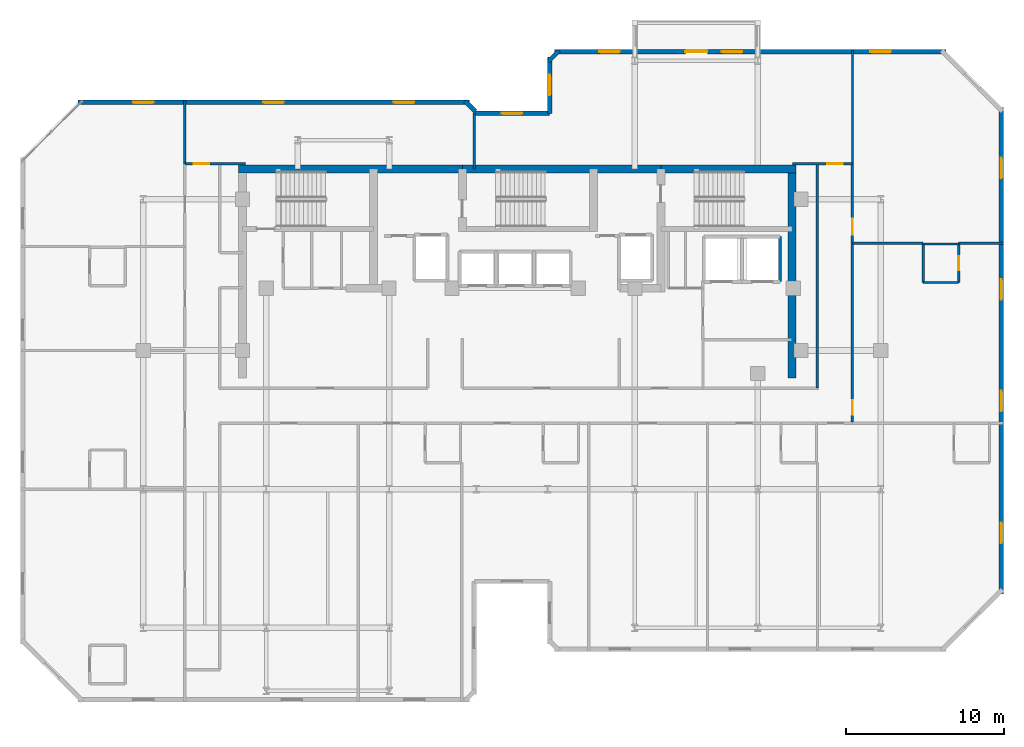
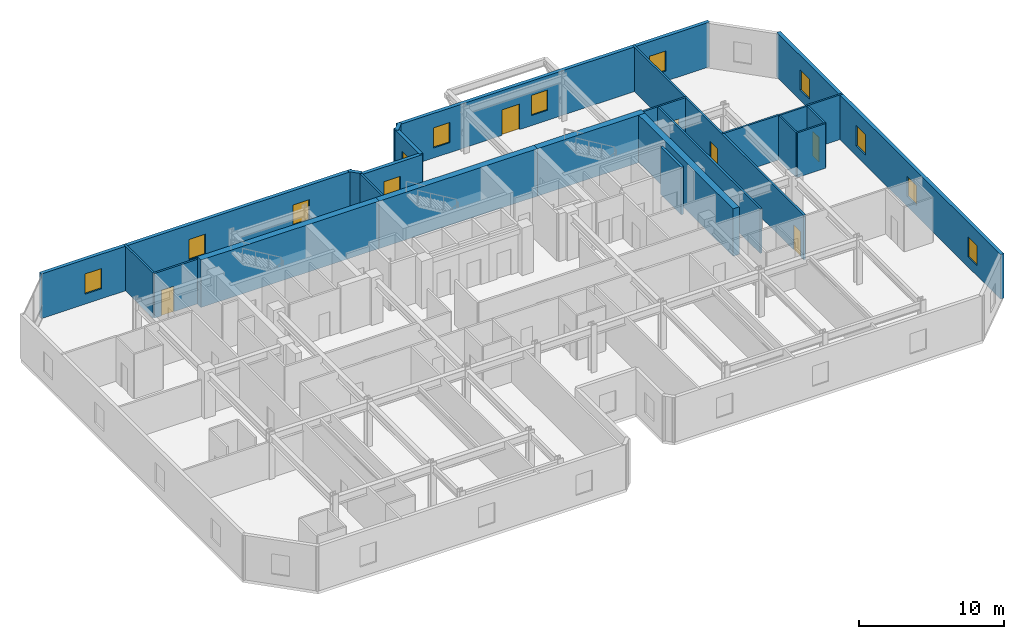
# One storey, part 7 of 9: 25 walls, 12 windows, 6 doors, 18 openings.
"""IFC4 building model written with IfcOpenShell, lengths in metres."""

from ifc_helpers import new_model, si_unit, direction, frame, frame_2d, origin, place, context, subcontext, project, spatial, rectangle, extrude, material, layer, layer_set, type_object, element, fill, save


model = new_model("IFC4")

# Units and contexts
model_context = context("Model", 3, precision=1e-05, world=origin(), true_north=direction((0.0, 1.0)))
body_context = subcontext(model_context, "Body", "Model", "MODEL_VIEW")
ifc_project = project(units=[si_unit("LENGTHUNIT", "METRE"), si_unit("AREAUNIT", "SQUARE_METRE"), si_unit("VOLUMEUNIT", "CUBIC_METRE"), si_unit("PLANEANGLEUNIT", "RADIAN"), si_unit("MASSUNIT", "GRAM", prefix="KILO")], contexts=[model_context])

# Site, building, storey
site_placement = place(None, origin())
site = spatial("IfcSite", under=ifc_project, at=site_placement, CompositionType="ELEMENT")
building_placement = place(site_placement, origin())
building = spatial("IfcBuilding", under=site, at=building_placement, Name="Kestravale Grand Hotel", CompositionType="ELEMENT")
storey_placement = place(building_placement, frame((0.0, 0.0, 257.39990234375)))
storey = spatial("IfcBuildingStorey", under=building, at=storey_placement, Name="L64", CompositionType="ELEMENT", Elevation=257.39990234375)

# Walls
ifc_material_1 = material(Name="Concrete f'c 50 MPa", Category="concrete")
ifc_layer_1 = layer(ifc_material_1, 0.5)
ifc_layer_set_1 = layer_set([ifc_layer_1], Name="EW-CORE-500")
wall_type_1 = type_object("IfcWallType", Name="EW-CORE-500", PredefinedType="SHEAR", material=ifc_layer_set_1)
wall_1_placement = place(storey_placement, frame((21.64990234375, 40.320068359375, 0.0), z_axis=(0.0, 0.0, 1.0), x_axis=(1.0, 0.0, 0.0)))
element("IfcWall", 1, at=wall_1_placement, inside=storey, type_object=wall_type_1, Name="L64 core shear wall N1", PredefinedType="SHEAR", context=body_context, shape_type="SweptSolid", body=[
    extrude(rectangle(XDim=14.2001953125, YDim=0.5, at=frame_2d((7.10009765625, 0.0))), origin(), (0.0, 0.0, 1.0), 4.0),
])
wall_2_placement = place(storey_placement, frame((35.85009765625, 40.320068359375, 0.0), z_axis=(0.0, 0.0, 1.0), x_axis=(1.0, 0.0, 0.0)))
element("IfcWall", 2, at=wall_2_placement, inside=storey, type_object=wall_type_1, Name="L64 core shear wall N2", PredefinedType="SHEAR", context=body_context, shape_type="SweptSolid", body=[
    extrude(rectangle(XDim=12.599853515625, YDim=0.5, at=frame_2d((6.2998046875, 0.0))), origin(), (0.0, 0.0, 1.0), 4.0),
])
wall_3_placement = place(storey_placement, frame((48.449951171875, 40.320068359375, 0.0), z_axis=(0.0, 0.0, 1.0), x_axis=(1.0, 0.0, 0.0)))
element("IfcWall", 3, at=wall_3_placement, inside=storey, type_object=wall_type_1, Name="L64 core shear wall N3", PredefinedType="SHEAR", context=body_context, shape_type="SweptSolid", body=[
    extrude(rectangle(XDim=8.570068359375, YDim=0.5, at=frame_2d((4.28515625, 0.0))), origin(), (0.0, 0.0, 1.0), 4.0),
])
wall_4_placement = place(storey_placement, frame((56.77001953125, 27.050048828125, 0.0), z_axis=(0.0, 0.0, 1.0), x_axis=(0.0, 1.0, 0.0)))
element("IfcWall", 4, at=wall_4_placement, inside=storey, type_object=wall_type_1, Name="L64 core shear wall E1", PredefinedType="SHEAR", context=body_context, shape_type="SweptSolid", body=[
    extrude(rectangle(XDim=13.52001953125, YDim=0.5, at=frame_2d((6.760009765625, 0.0))), origin(), (0.0, 0.0, 1.0), 4.0),
])

# Wall, openings, windows
ifc_material_2 = material(Name="Precast concrete f'c 45 MPa", Category="concrete")
ifc_layer_2 = layer(ifc_material_2, 0.280029296875)
ifc_layer_set_2 = layer_set([ifc_layer_2], Name="EW-PREC-280")
wall_type_2 = type_object("IfcWallType", Name="EW-PREC-280", PredefinedType="SOLIDWALL", material=ifc_layer_set_2)
wall_5_placement = place(storey_placement, frame((70.06005859375, 13.360107421875, 0.0), z_axis=(0.0, 0.0, 1.0), x_axis=(0.0, 1.0, 0.0)))
wall_5 = element("IfcWall", 5, at=wall_5_placement, inside=storey, type_object=wall_type_2, Name="L64 fluted precast facade wall 9", PredefinedType="SOLIDWALL", context=body_context, shape_type="SweptSolid", body=[
    extrude(rectangle(XDim=30.8798828125, YDim=0.280029296875, at=frame_2d((15.43994140625, 0.0))), origin(), (0.0, 0.0, 1.0), 3.760009765625),
])
opening_1_placement = place(wall_5_placement, frame((3.2099609375, 0.0, 0.85009765625)))
opening_1 = element("IfcOpeningElement", 6, at=opening_1_placement, cuts=wall_5, Name="Opening W-GUEST-1300", PredefinedType="OPENING", context=body_context, shape_type="SweptSolid", body=[
    extrude(rectangle(XDim=1.300048828125, YDim=1.699951171875, at=frame_2d((0.64990234375, 0.85009765625))), frame((0.0, 0.14990234375, 0.0), z_axis=(0.0, -1.0, 0.0), x_axis=(1.0, 0.0, 0.0)), (0.0, 0.0, 1.0), 0.300048828125),
])
opening_2_placement = place(wall_5_placement, frame((11.580078125, 0.0, 0.85009765625)))
opening_2 = element("IfcOpeningElement", 7, at=opening_2_placement, cuts=wall_5, Name="Opening W-GUEST-1300", PredefinedType="OPENING", context=body_context, shape_type="SweptSolid", body=[
    extrude(rectangle(XDim=1.300048828125, YDim=1.699951171875, at=frame_2d((0.64990234375, 0.85009765625))), frame((0.0, 0.14990234375, 0.0), z_axis=(0.0, -1.0, 0.0), x_axis=(1.0, 0.0, 0.0)), (0.0, 0.0, 1.0), 0.300048828125),
])
opening_3_placement = place(wall_5_placement, frame((18.64990234375, 0.0, 0.85009765625)))
opening_3 = element("IfcOpeningElement", 8, at=opening_3_placement, cuts=wall_5, Name="Opening W-GUEST-1300", PredefinedType="OPENING", context=body_context, shape_type="SweptSolid", body=[
    extrude(rectangle(XDim=1.300048828125, YDim=1.699951171875, at=frame_2d((0.64990234375, 0.85009765625))), frame((0.0, 0.14990234375, 0.0), z_axis=(0.0, -1.0, 0.0), x_axis=(1.0, 0.0, 0.0)), (0.0, 0.0, 1.0), 0.300048828125),
])
opening_4_placement = place(wall_5_placement, frame((26.3701171875, 0.0, 0.85009765625)))
opening_4 = element("IfcOpeningElement", 9, at=opening_4_placement, cuts=wall_5, Name="Opening W-GUEST-1300", PredefinedType="OPENING", context=body_context, shape_type="SweptSolid", body=[
    extrude(rectangle(XDim=1.300048828125, YDim=1.699951171875, at=frame_2d((0.64990234375, 0.85009765625))), frame((0.0, 0.14990234375, 0.0), z_axis=(0.0, -1.0, 0.0), x_axis=(1.0, 0.0, 0.0)), (0.0, 0.0, 1.0), 0.300048828125),
])
ifc_material_3 = material(Name="Insulated low-E double glazing in aluminium frame", Category="aluminium")
window_type = type_object("IfcWindowType", Name="W-GUEST-1300", PartitioningType="SINGLE_PANEL", PredefinedType="WINDOW", material=ifc_material_3)
window_1_placement = place(opening_1_placement, origin())
window_1 = element("IfcWindow", 10, at=window_1_placement, inside=storey, type_object=window_type, Name="L64 exterior window 9.1", OverallHeight=1.699951171875, OverallWidth=1.300048828125, PartitioningType="SINGLE_PANEL", PredefinedType="WINDOW", context=body_context, shape_type="SweptSolid", body=[
    extrude(rectangle(XDim=1.300048828125, YDim=1.699951171875, at=frame_2d((0.64990234375, 0.85009765625))), frame((0.0, 0.030029296875, 0.0), z_axis=(0.0, -1.0, 0.0), x_axis=(1.0, 0.0, 0.0)), (0.0, 0.0, 1.0), 0.06005859375),
])
fill(opening_1, window_1)
window_2_placement = place(opening_2_placement, origin())
window_2 = element("IfcWindow", 11, at=window_2_placement, inside=storey, type_object=window_type, Name="L64 exterior window 9.2", OverallHeight=1.699951171875, OverallWidth=1.300048828125, PartitioningType="SINGLE_PANEL", PredefinedType="WINDOW", context=body_context, shape_type="SweptSolid", body=[
    extrude(rectangle(XDim=1.300048828125, YDim=1.699951171875, at=frame_2d((0.64990234375, 0.85009765625))), frame((0.0, 0.030029296875, 0.0), z_axis=(0.0, -1.0, 0.0), x_axis=(1.0, 0.0, 0.0)), (0.0, 0.0, 1.0), 0.06005859375),
])
fill(opening_2, window_2)
window_3_placement = place(opening_3_placement, origin())
window_3 = element("IfcWindow", 12, at=window_3_placement, inside=storey, type_object=window_type, Name="L64 exterior window 9.3", OverallHeight=1.699951171875, OverallWidth=1.300048828125, PartitioningType="SINGLE_PANEL", PredefinedType="WINDOW", context=body_context, shape_type="SweptSolid", body=[
    extrude(rectangle(XDim=1.300048828125, YDim=1.699951171875, at=frame_2d((0.64990234375, 0.85009765625))), frame((0.0, 0.030029296875, 0.0), z_axis=(0.0, -1.0, 0.0), x_axis=(1.0, 0.0, 0.0)), (0.0, 0.0, 1.0), 0.06005859375),
])
fill(opening_3, window_3)
window_4_placement = place(opening_4_placement, origin())
window_4 = element("IfcWindow", 13, at=window_4_placement, inside=storey, type_object=window_type, Name="L64 exterior window 9.4", OverallHeight=1.699951171875, OverallWidth=1.300048828125, PartitioningType="SINGLE_PANEL", PredefinedType="WINDOW", context=body_context, shape_type="SweptSolid", body=[
    extrude(rectangle(XDim=1.300048828125, YDim=1.699951171875, at=frame_2d((0.64990234375, 0.85009765625))), frame((0.0, 0.030029296875, 0.0), z_axis=(0.0, -1.0, 0.0), x_axis=(1.0, 0.0, 0.0)), (0.0, 0.0, 1.0), 0.06005859375),
])
fill(opening_4, window_4)

# Wall, openings, door, windows
wall_6_placement = place(storey_placement, frame((66.5400390625, 47.760009765625, 0.0), z_axis=(0.0, 0.0, 1.0), x_axis=(-1.0, 0.0, 0.0)))
wall_6 = element("IfcWall", 14, at=wall_6_placement, inside=storey, type_object=wall_type_2, Name="L64 fluted precast facade wall 11", PredefinedType="SOLIDWALL", context=body_context, shape_type="SweptSolid", body=[
    extrude(rectangle(XDim=24.830078125, YDim=0.280029296875, at=frame_2d((12.4150390625, 0.0))), origin(), (0.0, 0.0, 1.0), 3.760009765625),
])
opening_5_placement = place(wall_6_placement, frame((15.139892578125, 0.0, 0.0)))
opening_5 = element("IfcOpeningElement", 15, at=opening_5_placement, cuts=wall_6, Name="Opening D-TERR-1400", PredefinedType="OPENING", context=body_context, shape_type="SweptSolid", body=[
    extrude(rectangle(XDim=1.39990234375, YDim=2.14990234375, at=frame_2d((0.699951171875, 1.074951171875))), frame((0.0, 0.14990234375, 0.0), z_axis=(0.0, -1.0, 0.0), x_axis=(1.0, 0.0, 0.0)), (0.0, 0.0, 1.0), 0.300048828125),
])
opening_6_placement = place(wall_6_placement, frame((3.48828125, 0.0, 0.85009765625)))
opening_6 = element("IfcOpeningElement", 16, at=opening_6_placement, cuts=wall_6, Name="Opening W-GUEST-1300", PredefinedType="OPENING", context=body_context, shape_type="SweptSolid", body=[
    extrude(rectangle(XDim=1.300048828125, YDim=1.699951171875, at=frame_2d((0.64990234375, 0.85009765625))), frame((0.0, 0.14990234375, 0.0), z_axis=(0.0, -1.0, 0.0), x_axis=(1.0, 0.0, 0.0)), (0.0, 0.0, 1.0), 0.300048828125),
])
opening_7_placement = place(wall_6_placement, frame((12.9150390625, 0.0, 0.85009765625)))
opening_7 = element("IfcOpeningElement", 17, at=opening_7_placement, cuts=wall_6, Name="Opening W-GUEST-1300", PredefinedType="OPENING", context=body_context, shape_type="SweptSolid", body=[
    extrude(rectangle(XDim=1.300048828125, YDim=1.699951171875, at=frame_2d((0.64990234375, 0.85009765625))), frame((0.0, 0.14990234375, 0.0), z_axis=(0.0, -1.0, 0.0), x_axis=(1.0, 0.0, 0.0)), (0.0, 0.0, 1.0), 0.300048828125),
])
opening_8_placement = place(wall_6_placement, frame((20.691650390625, 0.0, 0.85009765625)))
opening_8 = element("IfcOpeningElement", 18, at=opening_8_placement, cuts=wall_6, Name="Opening W-GUEST-1300", PredefinedType="OPENING", context=body_context, shape_type="SweptSolid", body=[
    extrude(rectangle(XDim=1.300048828125, YDim=1.699951171875, at=frame_2d((0.64990234375, 0.85009765625))), frame((0.0, 0.14990234375, 0.0), z_axis=(0.0, -1.0, 0.0), x_axis=(1.0, 0.0, 0.0)), (0.0, 0.0, 1.0), 0.300048828125),
])
ifc_material_4 = material(Name="Insulated glazed champagne-bronze aluminium door", Category="aluminium")
door_type_1 = type_object("IfcDoorType", Name="D-TERR-1400", OperationType="NOTDEFINED", PredefinedType="DOOR", material=ifc_material_4)
door_1_placement = place(opening_5_placement, origin())
door_1 = element("IfcDoor", 19, at=door_1_placement, inside=storey, type_object=door_type_1, Name="L64 outdoor garden terrace door", OperationType="DOUBLE_DOOR_SINGLE_SWING", OverallHeight=2.14990234375, OverallWidth=1.39990234375, PredefinedType="DOOR", context=body_context, shape_type="SweptSolid", body=[
    extrude(rectangle(XDim=1.39990234375, YDim=2.14990234375, at=frame_2d((0.699951171875, 1.074951171875))), frame((0.0, 0.02490234375, 0.0), z_axis=(0.0, -1.0, 0.0), x_axis=(1.0, 0.0, 0.0)), (0.0, 0.0, 1.0), 0.050048828125),
])
fill(opening_5, door_1)
window_5_placement = place(opening_6_placement, origin())
window_5 = element("IfcWindow", 20, at=window_5_placement, inside=storey, type_object=window_type, Name="L64 exterior window 11.1", OverallHeight=1.699951171875, OverallWidth=1.300048828125, PartitioningType="SINGLE_PANEL", PredefinedType="WINDOW", context=body_context, shape_type="SweptSolid", body=[
    extrude(rectangle(XDim=1.300048828125, YDim=1.699951171875, at=frame_2d((0.64990234375, 0.85009765625))), frame((0.0, 0.030029296875, 0.0), z_axis=(0.0, -1.0, 0.0), x_axis=(1.0, 0.0, 0.0)), (0.0, 0.0, 1.0), 0.06005859375),
])
fill(opening_6, window_5)
window_6_placement = place(opening_7_placement, origin())
window_6 = element("IfcWindow", 21, at=window_6_placement, inside=storey, type_object=window_type, Name="L64 exterior window 11.2", OverallHeight=1.699951171875, OverallWidth=1.300048828125, PartitioningType="SINGLE_PANEL", PredefinedType="WINDOW", context=body_context, shape_type="SweptSolid", body=[
    extrude(rectangle(XDim=1.300048828125, YDim=1.699951171875, at=frame_2d((0.64990234375, 0.85009765625))), frame((0.0, 0.030029296875, 0.0), z_axis=(0.0, -1.0, 0.0), x_axis=(1.0, 0.0, 0.0)), (0.0, 0.0, 1.0), 0.06005859375),
])
fill(opening_7, window_6)
window_7_placement = place(opening_8_placement, origin())
window_7 = element("IfcWindow", 22, at=window_7_placement, inside=storey, type_object=window_type, Name="L64 exterior window 11.3", OverallHeight=1.699951171875, OverallWidth=1.300048828125, PartitioningType="SINGLE_PANEL", PredefinedType="WINDOW", context=body_context, shape_type="SweptSolid", body=[
    extrude(rectangle(XDim=1.300048828125, YDim=1.699951171875, at=frame_2d((0.64990234375, 0.85009765625))), frame((0.0, 0.030029296875, 0.0), z_axis=(0.0, -1.0, 0.0), x_axis=(1.0, 0.0, 0.0)), (0.0, 0.0, 1.0), 0.06005859375),
])
fill(opening_8, window_7)

# Wall
wall_7_placement = place(storey_placement, frame((41.977294921875, 47.829345703125, 0.0), z_axis=(0.0, 0.0, 1.0), x_axis=(-0.706975312048, -0.707238225886, 0.0)))
element("IfcWall", 23, at=wall_7_placement, inside=storey, type_object=wall_type_2, Name="L64 fluted precast facade wall 12", PredefinedType="SOLIDWALL", context=body_context, shape_type="SweptSolid", body=[
    extrude(rectangle(XDim=0.9287109375, YDim=0.280029296875, at=frame_2d((0.46435546875, 0.0))), origin(), (0.0, 0.0, 1.0), 3.760009765625),
])

# Wall, opening, window
wall_8_placement = place(storey_placement, frame((41.389892578125, 47.43994140625, 0.0), z_axis=(0.0, 0.0, 1.0), x_axis=(0.0, -1.0, 0.0)))
wall_8 = element("IfcWall", 24, at=wall_8_placement, inside=storey, type_object=wall_type_2, Name="L64 fluted precast facade wall 13", PredefinedType="SOLIDWALL", context=body_context, shape_type="SweptSolid", body=[
    extrude(rectangle(XDim=3.579833984375, YDim=0.280029296875, at=frame_2d((1.7900390625, 0.0))), origin(), (0.0, 0.0, 1.0), 3.760009765625),
])
opening_9_placement = place(wall_8_placement, frame((1.139892578125, 0.0, 0.85009765625)))
opening_9 = element("IfcOpeningElement", 25, at=opening_9_placement, cuts=wall_8, Name="Opening W-GUEST-1300", PredefinedType="OPENING", context=body_context, shape_type="SweptSolid", body=[
    extrude(rectangle(XDim=1.300048828125, YDim=1.699951171875, at=frame_2d((0.64990234375, 0.85009765625))), frame((0.0, 0.14990234375, 0.0), z_axis=(0.0, -1.0, 0.0), x_axis=(1.0, 0.0, 0.0)), (0.0, 0.0, 1.0), 0.300048828125),
])
window_8_placement = place(opening_9_placement, origin())
window_8 = element("IfcWindow", 26, at=window_8_placement, inside=storey, type_object=window_type, Name="L64 exterior window 13.1", OverallHeight=1.699951171875, OverallWidth=1.300048828125, PartitioningType="SINGLE_PANEL", PredefinedType="WINDOW", context=body_context, shape_type="SweptSolid", body=[
    extrude(rectangle(XDim=1.300048828125, YDim=1.699951171875, at=frame_2d((0.64990234375, 0.85009765625))), frame((0.0, 0.030029296875, 0.0), z_axis=(0.0, -1.0, 0.0), x_axis=(1.0, 0.0, 0.0)), (0.0, 0.0, 1.0), 0.06005859375),
])
fill(opening_9, window_8)

wall_9_placement = place(storey_placement, frame((41.389892578125, 43.860107421875, 0.0), z_axis=(0.0, 0.0, 1.0), x_axis=(-1.0, 0.0, 0.0)))
wall_9 = element("IfcWall", 27, at=wall_9_placement, inside=storey, type_object=wall_type_2, Name="L64 fluted precast facade wall 14", PredefinedType="SOLIDWALL", context=body_context, shape_type="SweptSolid", body=[
    extrude(rectangle(XDim=4.77978515625, YDim=0.280029296875, at=frame_2d((2.389892578125, 0.0))), origin(), (0.0, 0.0, 1.0), 3.760009765625),
])
opening_10_placement = place(wall_9_placement, frame((1.739990234375, 0.0, 0.85009765625)))
opening_10 = element("IfcOpeningElement", 28, at=opening_10_placement, cuts=wall_9, Name="Opening W-GUEST-1300", PredefinedType="OPENING", context=body_context, shape_type="SweptSolid", body=[
    extrude(rectangle(XDim=1.300048828125, YDim=1.699951171875, at=frame_2d((0.64990234375, 0.85009765625))), frame((0.0, 0.14990234375, 0.0), z_axis=(0.0, -1.0, 0.0), x_axis=(1.0, 0.0, 0.0)), (0.0, 0.0, 1.0), 0.300048828125),
])
window_9_placement = place(opening_10_placement, origin())
window_9 = element("IfcWindow", 29, at=window_9_placement, inside=storey, type_object=window_type, Name="L64 exterior window 14.1", OverallHeight=1.699951171875, OverallWidth=1.300048828125, PartitioningType="SINGLE_PANEL", PredefinedType="WINDOW", context=body_context, shape_type="SweptSolid", body=[
    extrude(rectangle(XDim=1.300048828125, YDim=1.699951171875, at=frame_2d((0.64990234375, 0.85009765625))), frame((0.0, 0.030029296875, 0.0), z_axis=(0.0, -1.0, 0.0), x_axis=(1.0, 0.0, 0.0)), (0.0, 0.0, 1.0), 0.06005859375),
])
fill(opening_10, window_9)

# Wall
wall_10_placement = place(storey_placement, frame((36.67919921875, 43.97265625, 0.0), z_axis=(0.0, 0.0, 1.0), x_axis=(-0.706975312048, 0.707238225886, 0.0)))
element("IfcWall", 30, at=wall_10_placement, inside=storey, type_object=wall_type_2, Name="L64 fluted precast facade wall 16", PredefinedType="SOLIDWALL", context=body_context, shape_type="SweptSolid", body=[
    extrude(rectangle(XDim=0.9287109375, YDim=0.280029296875, at=frame_2d((0.46435546875, 0.0))), origin(), (0.0, 0.0, 1.0), 3.760009765625),
])

# Wall, openings, windows
wall_11_placement = place(storey_placement, frame((36.2900390625, 44.56005859375, 0.0), z_axis=(0.0, 0.0, 1.0), x_axis=(-1.0, 0.0, 0.0)))
wall_11 = element("IfcWall", 31, at=wall_11_placement, inside=storey, type_object=wall_type_2, Name="L64 fluted precast facade wall 17", PredefinedType="SOLIDWALL", context=body_context, shape_type="SweptSolid", body=[
    extrude(rectangle(XDim=24.830078125, YDim=0.280029296875, at=frame_2d((12.4150390625, 0.0))), origin(), (0.0, 0.0, 1.0), 3.760009765625),
])
opening_11_placement = place(wall_11_placement, frame((3.48828125, 0.0, 0.85009765625)))
opening_11 = element("IfcOpeningElement", 32, at=opening_11_placement, cuts=wall_11, Name="Opening W-GUEST-1300", PredefinedType="OPENING", context=body_context, shape_type="SweptSolid", body=[
    extrude(rectangle(XDim=1.300048828125, YDim=1.699951171875, at=frame_2d((0.64990234375, 0.85009765625))), frame((0.0, 0.14990234375, 0.0), z_axis=(0.0, -1.0, 0.0), x_axis=(1.0, 0.0, 0.0)), (0.0, 0.0, 1.0), 0.300048828125),
])
opening_12_placement = place(wall_11_placement, frame((11.764892578125, 0.0, 0.85009765625)))
opening_12 = element("IfcOpeningElement", 33, at=opening_12_placement, cuts=wall_11, Name="Opening W-GUEST-1300", PredefinedType="OPENING", context=body_context, shape_type="SweptSolid", body=[
    extrude(rectangle(XDim=1.300048828125, YDim=1.699951171875, at=frame_2d((0.64990234375, 0.85009765625))), frame((0.0, 0.14990234375, 0.0), z_axis=(0.0, -1.0, 0.0), x_axis=(1.0, 0.0, 0.0)), (0.0, 0.0, 1.0), 0.300048828125),
])
opening_13_placement = place(wall_11_placement, frame((20.041748046875, 0.0, 0.85009765625)))
opening_13 = element("IfcOpeningElement", 34, at=opening_13_placement, cuts=wall_11, Name="Opening W-GUEST-1300", PredefinedType="OPENING", context=body_context, shape_type="SweptSolid", body=[
    extrude(rectangle(XDim=1.300048828125, YDim=1.699951171875, at=frame_2d((0.64990234375, 0.85009765625))), frame((0.0, 0.14990234375, 0.0), z_axis=(0.0, -1.0, 0.0), x_axis=(1.0, 0.0, 0.0)), (0.0, 0.0, 1.0), 0.300048828125),
])
window_10_placement = place(opening_11_placement, origin())
window_10 = element("IfcWindow", 35, at=window_10_placement, inside=storey, type_object=window_type, Name="L64 exterior window 17.1", OverallHeight=1.699951171875, OverallWidth=1.300048828125, PartitioningType="SINGLE_PANEL", PredefinedType="WINDOW", context=body_context, shape_type="SweptSolid", body=[
    extrude(rectangle(XDim=1.300048828125, YDim=1.699951171875, at=frame_2d((0.64990234375, 0.85009765625))), frame((0.0, 0.030029296875, 0.0), z_axis=(0.0, -1.0, 0.0), x_axis=(1.0, 0.0, 0.0)), (0.0, 0.0, 1.0), 0.06005859375),
])
fill(opening_11, window_10)
window_11_placement = place(opening_12_placement, origin())
window_11 = element("IfcWindow", 36, at=window_11_placement, inside=storey, type_object=window_type, Name="L64 exterior window 17.2", OverallHeight=1.699951171875, OverallWidth=1.300048828125, PartitioningType="SINGLE_PANEL", PredefinedType="WINDOW", context=body_context, shape_type="SweptSolid", body=[
    extrude(rectangle(XDim=1.300048828125, YDim=1.699951171875, at=frame_2d((0.64990234375, 0.85009765625))), frame((0.0, 0.030029296875, 0.0), z_axis=(0.0, -1.0, 0.0), x_axis=(1.0, 0.0, 0.0)), (0.0, 0.0, 1.0), 0.06005859375),
])
fill(opening_12, window_11)
window_12_placement = place(opening_13_placement, origin())
window_12 = element("IfcWindow", 37, at=window_12_placement, inside=storey, type_object=window_type, Name="L64 exterior window 17.3", OverallHeight=1.699951171875, OverallWidth=1.300048828125, PartitioningType="SINGLE_PANEL", PredefinedType="WINDOW", context=body_context, shape_type="SweptSolid", body=[
    extrude(rectangle(XDim=1.300048828125, YDim=1.699951171875, at=frame_2d((0.64990234375, 0.85009765625))), frame((0.0, 0.030029296875, 0.0), z_axis=(0.0, -1.0, 0.0), x_axis=(1.0, 0.0, 0.0)), (0.0, 0.0, 1.0), 0.06005859375),
])
fill(opening_13, window_12)

# Wall, openings, doors
ifc_material_5 = material(Name="Acoustic fire-rated gypsum board partition", Category="other")
ifc_layer_3 = layer(ifc_material_5, 0.159912109375)
ifc_layer_set_3 = layer_set([ifc_layer_3], Name="IW-CORR-160")
wall_type_3 = type_object("IfcWallType", Name="IW-CORR-160", PredefinedType="PARTITIONING", material=ifc_layer_set_3)
wall_12_placement = place(storey_placement, frame((60.610107421875, 24.25, 0.0), z_axis=(0.0, 0.0, 1.0), x_axis=(0.0, 1.0, 0.0)))
wall_12 = element("IfcWall", 38, at=wall_12_placement, inside=storey, type_object=wall_type_3, Name="W-L64-SE-E", PredefinedType="PARTITIONING", context=body_context, shape_type="SweptSolid", body=[
    extrude(rectangle(XDim=16.39990234375, YDim=0.159912109375, at=frame_2d((8.199951171875, 0.0))), origin(), (0.0, 0.0, 1.0), 3.760009765625),
])
opening_14_placement = place(wall_12_placement, frame((0.4599609375, 0.0, 0.0)))
opening_14 = element("IfcOpeningElement", 39, at=opening_14_placement, cuts=wall_12, Name="Opening D-GUEST-950", PredefinedType="OPENING", context=body_context, shape_type="SweptSolid", body=[
    extrude(rectangle(XDim=0.949951171875, YDim=2.10009765625, at=frame_2d((0.47509765625, 1.050048828125))), frame((0.0, 0.08984375, 0.0), z_axis=(0.0, -1.0, 0.0), x_axis=(1.0, 0.0, 0.0)), (0.0, 0.0, 1.0), 0.179931640625),
])
opening_15_placement = place(wall_12_placement, frame((11.89990234375, 0.0, 0.0)))
opening_15 = element("IfcOpeningElement", 40, at=opening_15_placement, cuts=wall_12, Name="Opening D-GUEST-1000", PredefinedType="OPENING", context=body_context, shape_type="SweptSolid", body=[
    extrude(rectangle(XDim=1.0, YDim=2.14990234375, at=frame_2d((0.5, 1.074951171875))), frame((0.0, 0.08984375, 0.0), z_axis=(0.0, -1.0, 0.0), x_axis=(1.0, 0.0, 0.0)), (0.0, 0.0, 1.0), 0.179931640625),
])
ifc_material_6 = material(Name="Accessible walnut veneer hotel entrance fire door", Category="wood")
door_type_2 = type_object("IfcDoorType", Name="D-GUEST-1000", OperationType="NOTDEFINED", PredefinedType="DOOR", material=ifc_material_6)
door_2_placement = place(opening_15_placement, origin())
door_2 = element("IfcDoor", 41, at=door_2_placement, inside=storey, type_object=door_type_2, Name="D-L64-AMEW", OperationType="SINGLE_SWING_LEFT", OverallHeight=2.14990234375, OverallWidth=1.0, PredefinedType="DOOR", context=body_context, shape_type="SweptSolid", body=[
    extrude(rectangle(XDim=1.0, YDim=2.14990234375, at=frame_2d((0.5, 1.074951171875))), frame((0.0, 0.02490234375, 0.0), z_axis=(0.0, -1.0, 0.0), x_axis=(1.0, 0.0, 0.0)), (0.0, 0.0, 1.0), 0.050048828125),
])
fill(opening_15, door_2)
ifc_material_7 = material(Name="Walnut veneer hotel guestroom entrance fire door", Category="wood")
door_type_3 = type_object("IfcDoorType", Name="D-GUEST-950", OperationType="NOTDEFINED", PredefinedType="DOOR", material=ifc_material_7)
door_3_placement = place(opening_14_placement, origin())
door_3 = element("IfcDoor", 42, at=door_3_placement, inside=storey, type_object=door_type_3, Name="D-L64-U08-ENT", OperationType="SINGLE_SWING_RIGHT", OverallHeight=2.10009765625, OverallWidth=0.949951171875, PredefinedType="DOOR", context=body_context, shape_type="SweptSolid", body=[
    extrude(rectangle(XDim=0.949951171875, YDim=2.10009765625, at=frame_2d((0.47509765625, 1.050048828125))), frame((0.0, 0.02490234375, 0.0), z_axis=(0.0, -1.0, 0.0), x_axis=(1.0, 0.0, 0.0)), (0.0, 0.0, 1.0), 0.050048828125),
])
fill(opening_14, door_3)

# Walls
wall_13_placement = place(storey_placement, frame((58.389892578125, 26.409912109375, 0.0), z_axis=(0.0, 0.0, 1.0), x_axis=(0.0, 1.0, 0.0)))
element("IfcWall", 43, at=wall_13_placement, inside=storey, type_object=wall_type_3, Name="W-L64-SE-WU", PredefinedType="PARTITIONING", context=body_context, shape_type="SweptSolid", body=[
    extrude(rectangle(XDim=14.239990234375, YDim=0.159912109375, at=frame_2d((7.1201171875, 0.0))), origin(), (0.0, 0.0, 1.0), 3.760009765625),
])
ifc_material_8 = material(Name="Moisture-resistant tile-backer plumbing chase wall", Category="other")
ifc_layer_4 = layer(ifc_material_8, 0.139892578125)
ifc_layer_set_4 = layer_set([ifc_layer_4], Name="IW-PLB-140")
wall_type_4 = type_object("IfcWallType", Name="IW-PLB-140", PredefinedType="PLUMBINGWALL", material=ifc_layer_set_4)
wall_14_placement = place(storey_placement, frame((65.10009765625, 33.110107421875, 0.0), z_axis=(0.0, 0.0, 1.0), x_axis=(0.0, 1.0, 0.0)))
element("IfcWall", 44, at=wall_14_placement, inside=storey, type_object=wall_type_4, Name="W-L64-U08-BW", PredefinedType="PLUMBINGWALL", context=body_context, shape_type="SweptSolid", body=[
    extrude(rectangle(XDim=2.449951171875, YDim=0.139892578125, at=frame_2d((1.22509765625, 0.0))), origin(), (0.0, 0.0, 1.0), 3.760009765625),
])

# Wall, opening, door
wall_15_placement = place(storey_placement, frame((67.35009765625, 33.110107421875, 0.0), z_axis=(0.0, 0.0, 1.0), x_axis=(0.0, 1.0, 0.0)))
wall_15 = element("IfcWall", 45, at=wall_15_placement, inside=storey, type_object=wall_type_4, Name="W-L64-U08-BE", PredefinedType="PLUMBINGWALL", context=body_context, shape_type="SweptSolid", body=[
    extrude(rectangle(XDim=2.449951171875, YDim=0.139892578125, at=frame_2d((1.22509765625, 0.0))), origin(), (0.0, 0.0, 1.0), 3.760009765625),
])
opening_16_placement = place(wall_15_placement, frame((0.784912109375, 0.0, 0.0)))
opening_16 = element("IfcOpeningElement", 46, at=opening_16_placement, cuts=wall_15, Name="Opening D-BATH-880", PredefinedType="OPENING", context=body_context, shape_type="SweptSolid", body=[
    extrude(rectangle(XDim=0.8798828125, YDim=2.050048828125, at=frame_2d((0.43994140625, 1.02490234375))), frame((0.0, 0.079833984375, 0.0), z_axis=(0.0, -1.0, 0.0), x_axis=(1.0, 0.0, 0.0)), (0.0, 0.0, 1.0), 0.159912109375),
])
ifc_material_9 = material(Name="Moisture-sealed walnut en-suite bathroom door", Category="wood")
door_type_4 = type_object("IfcDoorType", Name="D-BATH-880", OperationType="NOTDEFINED", PredefinedType="DOOR", material=ifc_material_9)
door_4_placement = place(opening_16_placement, origin())
door_4 = element("IfcDoor", 47, at=door_4_placement, inside=storey, type_object=door_type_4, Name="D-L64-U08-BATH", OperationType="SINGLE_SWING_LEFT", OverallHeight=2.050048828125, OverallWidth=0.8798828125, PredefinedType="DOOR", context=body_context, shape_type="SweptSolid", body=[
    extrude(rectangle(XDim=0.8798828125, YDim=2.050048828125, at=frame_2d((0.43994140625, 1.02490234375))), frame((0.0, 0.02490234375, 0.0), z_axis=(0.0, -1.0, 0.0), x_axis=(1.0, 0.0, 0.0)), (0.0, 0.0, 1.0), 0.050048828125),
])
fill(opening_16, door_4)

# Walls
for number, where, z_axis, x_axis, name in (
    (48, (65.10009765625, 33.110107421875, 0.0), (0.0, 0.0, 1.0), (1.0, 0.0, 0.0), "W-L64-U08-BS"),
    (49, (65.10009765625, 35.56005859375, 0.0), (0.0, 0.0, 1.0), (1.0, 0.0, 0.0), "W-L64-U08-BN"),
):
    element("IfcWall", number, at=place(storey_placement, frame(where, z_axis=z_axis, x_axis=x_axis)), inside=storey, type_object=wall_type_4, Name=name, PredefinedType="PLUMBINGWALL", context=body_context, shape_type="SweptSolid", body=[
        extrude(rectangle(XDim=2.25, YDim=0.139892578125, at=frame_2d((1.125, 0.0))), origin(), (0.0, 0.0, 1.0), 3.760009765625),
    ])
ifc_material_10 = material(Name="Concrete f'c 45 MPa", Category="concrete")
ifc_layer_5 = layer(ifc_material_10, 0.199951171875)
ifc_layer_set_5 = layer_set([ifc_layer_5], Name="IW-SHAFT-200")
wall_type_5 = type_object("IfcWallType", Name="IW-SHAFT-200", PredefinedType="SHEAR", material=ifc_layer_set_5)
wall_16_placement = place(storey_placement, frame((56.02001953125, 33.169921875, 0.0), z_axis=(0.0, 0.0, 1.0), x_axis=(0.0, 1.0, 0.0)))
element("IfcWall", 50, at=wall_16_placement, inside=storey, type_object=wall_type_5, Name="L64 SL-2 east shaft wall", PredefinedType="SHEAR", context=body_context, shape_type="SweptSolid", body=[
    extrude(rectangle(XDim=2.860107421875, YDim=0.199951171875, at=frame_2d((1.43017578125, 0.0))), origin(), (0.0, 0.0, 1.0), 4.0),
])

# Wall, opening, door
ifc_material_11 = material(Name="Double-stud STC 52 acoustic demising partition", Category="other")
ifc_layer_6 = layer(ifc_material_11, 0.14990234375)
ifc_layer_set_6 = layer_set([ifc_layer_6], Name="IW-UNIT-150")
wall_type_6 = type_object("IfcWallType", Name="IW-UNIT-150", PredefinedType="PARTITIONING", material=ifc_layer_set_6)
wall_17_placement = place(storey_placement, frame((18.239990234375, 40.64990234375, 0.0), z_axis=(0.0, 0.0, 1.0), x_axis=(1.0, 0.0, 0.0)))
wall_17 = element("IfcWall", 51, at=wall_17_placement, inside=storey, type_object=wall_type_6, Name="W-L64-SW-N", PredefinedType="PARTITIONING", context=body_context, shape_type="SweptSolid", body=[
    extrude(rectangle(XDim=3.860107421875, YDim=0.14990234375, at=frame_2d((1.93017578125, 0.0))), origin(), (0.0, 0.0, 1.0), 3.760009765625),
])
opening_17_placement = place(wall_17_placement, frame((0.550048828125, 0.0, 0.0)))
opening_17 = element("IfcOpeningElement", 52, at=opening_17_placement, cuts=wall_17, Name="Opening D-GUEST-1000", PredefinedType="OPENING", context=body_context, shape_type="SweptSolid", body=[
    extrude(rectangle(XDim=1.0, YDim=2.14990234375, at=frame_2d((0.5, 1.074951171875))), frame((0.0, 0.0849609375, 0.0), z_axis=(0.0, -1.0, 0.0), x_axis=(1.0, 0.0, 0.0)), (0.0, 0.0, 1.0), 0.169921875),
])
door_5_placement = place(opening_17_placement, origin())
door_5 = element("IfcDoor", 53, at=door_5_placement, inside=storey, type_object=door_type_2, Name="L64 NW Gallery Door", OperationType="SINGLE_SWING_RIGHT", OverallHeight=2.14990234375, OverallWidth=1.0, PredefinedType="DOOR", context=body_context, shape_type="SweptSolid", body=[
    extrude(rectangle(XDim=1.0, YDim=2.14990234375, at=frame_2d((0.5, 1.074951171875))), frame((0.0, 0.02490234375, 0.0), z_axis=(0.0, -1.0, 0.0), x_axis=(1.0, 0.0, 0.0)), (0.0, 0.0, 1.0), 0.050048828125),
])
fill(opening_17, door_5)

wall_18_placement = place(storey_placement, frame((56.800048828125, 40.64990234375, 0.0), z_axis=(0.0, 0.0, 1.0), x_axis=(1.0, 0.0, 0.0)))
wall_18 = element("IfcWall", 54, at=wall_18_placement, inside=storey, type_object=wall_type_6, Name="W-L64-SE-N", PredefinedType="PARTITIONING", context=body_context, shape_type="SweptSolid", body=[
    extrude(rectangle(XDim=3.81005859375, YDim=0.14990234375, at=frame_2d((1.905029296875, 0.0))), origin(), (0.0, 0.0, 1.0), 3.760009765625),
])
opening_18_placement = place(wall_18_placement, frame((2.199951171875, 0.0, 0.0)))
opening_18 = element("IfcOpeningElement", 55, at=opening_18_placement, cuts=wall_18, Name="Opening D-GUEST-1000", PredefinedType="OPENING", context=body_context, shape_type="SweptSolid", body=[
    extrude(rectangle(XDim=1.0, YDim=2.14990234375, at=frame_2d((0.5, 1.074951171875))), frame((0.0, 0.0849609375, 0.0), z_axis=(0.0, -1.0, 0.0), x_axis=(1.0, 0.0, 0.0)), (0.0, 0.0, 1.0), 0.169921875),
])
door_6_placement = place(opening_18_placement, origin())
door_6 = element("IfcDoor", 56, at=door_6_placement, inside=storey, type_object=door_type_2, Name="L64 NE Gallery Door", OperationType="SINGLE_SWING_LEFT", OverallHeight=2.14990234375, OverallWidth=1.0, PredefinedType="DOOR", context=body_context, shape_type="SweptSolid", body=[
    extrude(rectangle(XDim=1.0, YDim=2.14990234375, at=frame_2d((0.5, 1.074951171875))), frame((0.0, 0.02490234375, 0.0), z_axis=(0.0, -1.0, 0.0), x_axis=(1.0, 0.0, 0.0)), (0.0, 0.0, 1.0), 0.050048828125),
])
fill(opening_18, door_6)

# Walls
wall_19_placement = place(storey_placement, frame((18.239990234375, 40.64990234375, 0.0), z_axis=(0.0, 0.0, 1.0), x_axis=(0.0, 1.0, 0.0)))
element("IfcWall", 57, at=wall_19_placement, inside=storey, type_object=wall_type_6, Name="W-L64-NGW-W", PredefinedType="PARTITIONING", context=body_context, shape_type="SweptSolid", body=[
    extrude(rectangle(XDim=4.030029296875, YDim=0.14990234375, at=frame_2d((2.01513671875, 0.0))), origin(), (0.0, 0.0, 1.0), 3.760009765625),
])
wall_20_placement = place(storey_placement, frame((36.60009765625, 40.320068359375, 0.0), z_axis=(0.0, 0.0, 1.0), x_axis=(0.0, 1.0, 0.0)))
element("IfcWall", 58, at=wall_20_placement, inside=storey, type_object=wall_type_6, Name="W-L64-NGM", PredefinedType="PARTITIONING", context=body_context, shape_type="SweptSolid", body=[
    extrude(rectangle(XDim=3.544921875, YDim=0.14990234375, at=frame_2d((1.7724609375, 0.0))), origin(), (0.0, 0.0, 1.0), 3.760009765625),
])
wall_21_placement = place(storey_placement, frame((60.610107421875, 40.64990234375, 0.0), z_axis=(0.0, 0.0, 1.0), x_axis=(0.0, 1.0, 0.0)))
element("IfcWall", 59, at=wall_21_placement, inside=storey, type_object=wall_type_6, Name="W-L64-NGE-E", PredefinedType="PARTITIONING", context=body_context, shape_type="SweptSolid", body=[
    extrude(rectangle(XDim=7.22998046875, YDim=0.14990234375, at=frame_2d((3.614990234375, 0.0))), origin(), (0.0, 0.0, 1.0), 3.760009765625),
])
wall_22_placement = place(storey_placement, frame((60.610107421875, 35.60009765625, 0.0), z_axis=(0.0, 0.0, 1.0), x_axis=(1.0, 0.0, 0.0)))
element("IfcWall", 60, at=wall_22_placement, inside=storey, type_object=wall_type_6, Name="W-L64-EW-1", PredefinedType="PARTITIONING", context=body_context, shape_type="SweptSolid", body=[
    extrude(rectangle(XDim=4.489990234375, YDim=0.14990234375, at=frame_2d((2.2451171875, 0.0))), origin(), (0.0, 0.0, 1.0), 3.760009765625),
])
wall_23_placement = place(storey_placement, frame((67.35009765625, 35.60009765625, 0.0), z_axis=(0.0, 0.0, 1.0), x_axis=(1.0, 0.0, 0.0)))
element("IfcWall", 61, at=wall_23_placement, inside=storey, type_object=wall_type_6, Name="W-L64-EW-1", PredefinedType="PARTITIONING", context=body_context, shape_type="SweptSolid", body=[
    extrude(rectangle(XDim=2.829833984375, YDim=0.14990234375, at=frame_2d((1.4150390625, 0.0))), origin(), (0.0, 0.0, 1.0), 3.760009765625),
])

save(model, "model.ifc")
